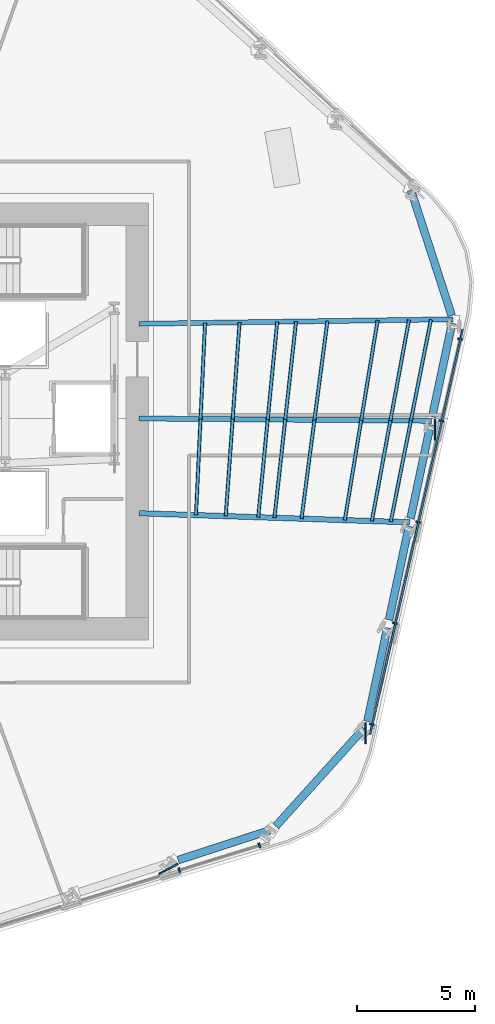
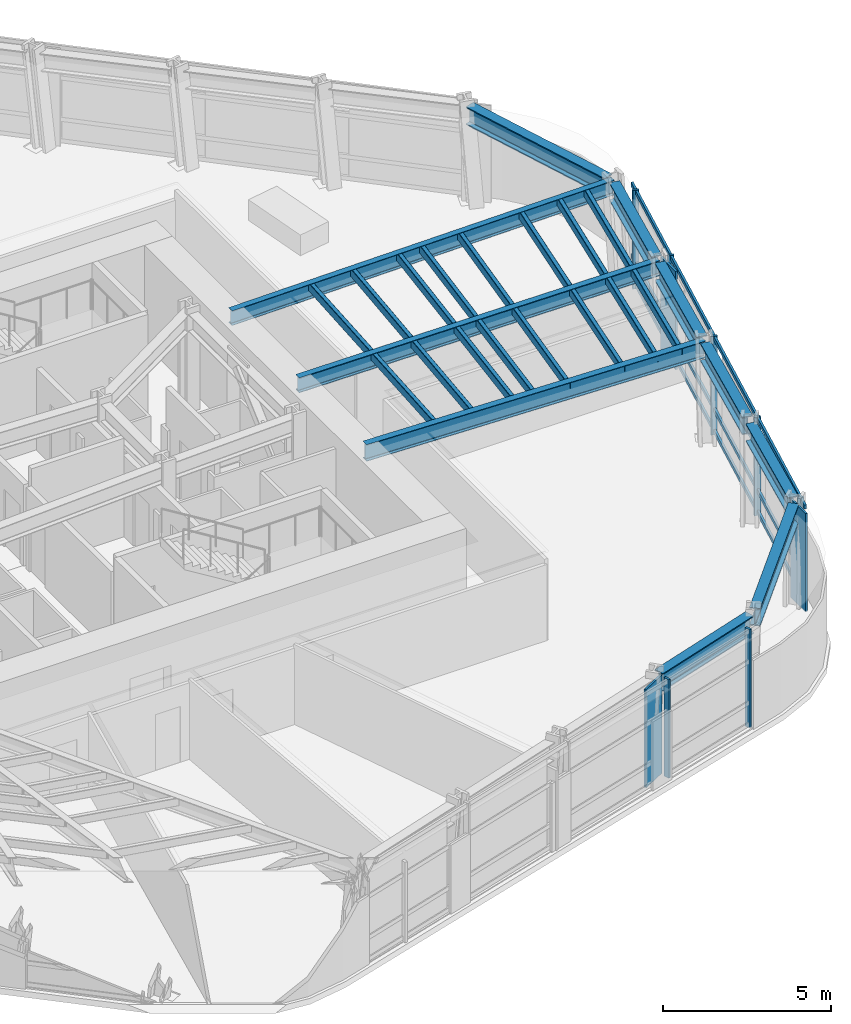
# One storey, part 5 of 16: 30 members, 10 beams, 2 elements without a shape of their own.
"""IFC4 building model written with IfcOpenShell, lengths in metres."""

from ifc_helpers import new_model, si_unit, direction, frame, origin, origin_2d, place, context, subcontext, project, spatial, rectangle, hollow_rectangle, i_section, extrude, material, layer, layer_set, material_profile, profile_set, type_object, element, aggregate, save


model = new_model("IFC4")

# Units and contexts
model_context = context("Model", 3, precision=1e-05, world=origin(), true_north=direction((0.0, 1.0)))
body_context = subcontext(model_context, "Body", "Model", "MODEL_VIEW")
ifc_project = project(units=[si_unit("LENGTHUNIT", "METRE"), si_unit("AREAUNIT", "SQUARE_METRE"), si_unit("VOLUMEUNIT", "CUBIC_METRE"), si_unit("PLANEANGLEUNIT", "RADIAN"), si_unit("MASSUNIT", "GRAM", prefix="KILO")], contexts=[model_context])

# Site, building, storey
site_placement = place(None, origin())
site = spatial("IfcSite", under=ifc_project, at=site_placement, CompositionType="ELEMENT")
building_placement = place(site_placement, origin())
building = spatial("IfcBuilding", under=site, at=building_placement, Name="Valkerne Bourse Tower", CompositionType="ELEMENT")
storey_placement = place(building_placement, frame((0.0, 0.0, 97.199951171875)))
storey = spatial("IfcBuildingStorey", under=building, at=storey_placement, Name="L24", CompositionType="ELEMENT", Elevation=97.199951171875)

# Beams
ifc_material_1 = material(Name="Steel ASTM A992", Category="steel")
ifc_material_profile_1 = material_profile(ifc_material_1, i_section(OverallWidth=0.209228515625, OverallDepth=0.533447265625, WebThickness=0.01025390625, FlangeThickness=0.015625, FilletRadius=0.017822265625, at=origin_2d()), Name="W21X62")
ifc_profile_set_1 = profile_set([ifc_material_profile_1], Name="Steel ASTM A992")
beam_type_1 = type_object("IfcBeamType", Name="BM-W21X62", PredefinedType="JOIST", material=ifc_profile_set_1)
beam_1_placement = place(storey_placement, frame((69.24951171875, 31.190185546875, 3.313232421875), z_axis=(-0.999896995032, -0.014352676601, 0.0), x_axis=(0.014352676601, -0.999896995032, 0.0)))
element("IfcBeam", 1, at=beam_1_placement, inside=storey, type_object=beam_type_1, Name="L24 Radial Composite Floor Beam 29", PredefinedType="JOIST", context=body_context, shape_type="SweptSolid", body=[
    extrude(i_section(OverallWidth=0.209228515625, OverallDepth=0.533447265625, WebThickness=0.01025390625, FlangeThickness=0.015625, FilletRadius=0.017822265625, at=origin_2d()), origin(), (0.0, 0.0, 1.0), 13.2509765625),
])
ifc_material_profile_2 = material_profile(ifc_material_1, i_section(OverallWidth=0.2138671875, OverallDepth=0.548583984375, WebThickness=0.0146484375, FlangeThickness=0.023681640625, FilletRadius=0.017822265625, at=origin_2d()), Name="W21X93")
ifc_profile_set_2 = profile_set([ifc_material_profile_2], Name="Steel ASTM A992")
beam_type_2 = type_object("IfcBeamType", Name="BM-W21X93", PredefinedType="BEAM", material=ifc_profile_set_2)
beam_2_placement = place(storey_placement, frame((68.338134765625, 26.90283203125, 3.3056640625), z_axis=(-0.999968990338, 0.007875173797, 0.0), x_axis=(-0.007875173797, -0.999968990338, 0.0)))
element("IfcBeam", 2, at=beam_2_placement, inside=storey, type_object=beam_type_2, Name="L24 Radial Composite Floor Beam 28", PredefinedType="BEAM", context=body_context, shape_type="SweptSolid", body=[
    extrude(i_section(OverallWidth=0.2138671875, OverallDepth=0.548583984375, WebThickness=0.0146484375, FlangeThickness=0.023681640625, FilletRadius=0.017822265625, at=origin_2d()), origin(), (0.0, 0.0, 1.0), 12.338623046875),
])
ifc_material_profile_3 = material_profile(ifc_material_1, i_section(OverallWidth=0.330078125, OverallDepth=0.647705078125, WebThickness=0.0205078125, FlangeThickness=0.037109375, FilletRadius=0.020263671875, at=origin_2d()), Name="W24X192")
ifc_profile_set_3 = profile_set([ifc_material_profile_3], Name="Steel ASTM A992")
beam_type_3 = type_object("IfcBeamType", Name="BM-W24X192", PredefinedType="SPANDREL", material=ifc_profile_set_3)
beam_3_placement = place(storey_placement, frame((57.646484375, 8.351318359375, 3.25634765625), z_axis=(0.951065126918, 0.308990492345, 0.0), x_axis=(-0.308990492345, 0.951065126918, 0.0)))
element("IfcBeam", 3, at=beam_3_placement, inside=storey, type_object=beam_type_3, Name="L24 Hexagonal Spandrel Ring Beam 23", PredefinedType="SPANDREL", context=body_context, shape_type="SweptSolid", body=[
    extrude(i_section(OverallWidth=0.330078125, OverallDepth=0.647705078125, WebThickness=0.0205078125, FlangeThickness=0.037109375, FilletRadius=0.020263671875, at=origin_2d()), origin(), (0.0, 0.0, 1.0), 4.04296875),
])
beam_4_placement = place(storey_placement, frame((61.76708984375, 9.779541015625, 3.25634765625), z_axis=(0.669129547438, 0.743145778933, 0.0), x_axis=(-0.743145778933, 0.669129547438, 0.0)))
element("IfcBeam", 4, at=beam_4_placement, inside=storey, type_object=beam_type_3, Name="L24 Hexagonal Spandrel Ring Beam 24", PredefinedType="SPANDREL", context=body_context, shape_type="SweptSolid", body=[
    extrude(i_section(OverallWidth=0.330078125, OverallDepth=0.647705078125, WebThickness=0.0205078125, FlangeThickness=0.037109375, FilletRadius=0.020263671875, at=origin_2d()), origin(), (0.0, 0.0, 1.0), 5.564453125),
])
for number, where, z_axis, x_axis, name in (
    (5, (65.6396484375, 14.20751953125, 3.25634765625), (0.207912200064, 0.97814749249, 0.0), (-0.97814749249, 0.207912200064, 0.0), "L24 Hexagonal Spandrel Ring Beam 25"),
    (6, (66.55078125, 18.49462890625, 3.25634765625), (0.207969975531, 0.978135210121, 0.0), (-0.978135210121, 0.207969975531, 0.0), "L24 Hexagonal Spandrel Ring Beam 26"),
    (7, (67.462158203125, 22.781982421875, 3.25634765625), (0.207969975531, 0.978135210121, 0.0), (-0.978135210121, 0.207969975531, 0.0), "L24 Hexagonal Spandrel Ring Beam 27"),
    (8, (68.37353515625, 27.069091796875, 3.25634765625), (0.207912200064, 0.97814749249, 0.0), (-0.97814749249, 0.207912200064, 0.0), "L24 Hexagonal Spandrel Ring Beam 28"),
):
    element("IfcBeam", number, at=place(storey_placement, frame(where, z_axis=z_axis, x_axis=x_axis)), inside=storey, type_object=beam_type_3, Name=name, PredefinedType="SPANDREL", context=body_context, shape_type="SweptSolid", body=[
        extrude(i_section(OverallWidth=0.330078125, OverallDepth=0.647705078125, WebThickness=0.0205078125, FlangeThickness=0.037109375, FilletRadius=0.020263671875, at=origin_2d()), origin(), (0.0, 0.0, 1.0), 4.04296875),
    ])
beam_5_placement = place(storey_placement, frame((69.197021484375, 31.351806640625, 3.25634765625), z_axis=(-0.309058293549, 0.951043096389, 0.0), x_axis=(-0.951043096389, -0.309058293549, 0.0)))
element("IfcBeam", 9, at=beam_5_placement, inside=storey, type_object=beam_type_3, Name="L24 Hexagonal Spandrel Ring Beam 29", PredefinedType="SPANDREL", context=body_context, shape_type="SweptSolid", body=[
    extrude(i_section(OverallWidth=0.330078125, OverallDepth=0.647705078125, WebThickness=0.0205078125, FlangeThickness=0.037109375, FilletRadius=0.020263671875, at=origin_2d()), origin(), (0.0, 0.0, 1.0), 5.564453125),
])
ifc_material_profile_4 = material_profile(ifc_material_1, i_section(OverallWidth=0.228271484375, OverallDepth=0.607177734375, WebThickness=0.01123046875, FlangeThickness=0.017333984375, FilletRadius=0.017822265625, at=origin_2d()), Name="W24X76")
ifc_profile_set_4 = profile_set([ifc_material_profile_4], Name="Steel ASTM A992")
beam_type_4 = type_object("IfcBeamType", Name="BM-W24X76", PredefinedType="JOIST", material=ifc_profile_set_4)
beam_6_placement = place(storey_placement, frame((67.427001953125, 22.615478515625, 3.2763671875), z_axis=(-0.999434310671, 0.033631215454, 0.0), x_axis=(-0.033631215454, -0.999434310671, 0.0)))
element("IfcBeam", 10, at=beam_6_placement, inside=storey, type_object=beam_type_4, Name="L24 Radial Composite Floor Beam 27", PredefinedType="JOIST", context=body_context, shape_type="SweptSolid", body=[
    extrude(i_section(OverallWidth=0.228271484375, OverallDepth=0.607177734375, WebThickness=0.01123046875, FlangeThickness=0.017333984375, FilletRadius=0.017822265625, at=origin_2d()), origin(), (0.0, 0.0, 1.0), 11.433349609375),
])

# Curtain wall, members
ifc_material_2 = material(Name="Aluminium AA 6063-T6", Category="aluminium")
ifc_layer = layer(ifc_material_2, 0.22998046875)
ifc_layer_set = layer_set([ifc_layer], Name="Aluminium AA 6063-T6")
curtain_wall_type = type_object("IfcCurtainWallType", Name="CW-02", PredefinedType="NOTDEFINED", material=ifc_layer_set)
curtain_wall_1_placement = place(storey_placement, origin())
curtain_wall_1 = element("IfcCurtainWall", 11, at=curtain_wall_1_placement, inside=storey, type_object=curtain_wall_type, Name="L24 Hexagonal Stick Curtain Wall Face 5", PredefinedType="NOTDEFINED")
ifc_material_profile_5 = material_profile(ifc_material_2, rectangle(XDim=0.074951171875, YDim=0.199951171875, at=origin_2d()), Name="CWM-75X200")
ifc_profile_set_5 = profile_set([ifc_material_profile_5], Name="Aluminium AA 6063-T6")
member_type_1 = type_object("IfcMemberType", Name="CW-MUL-220X75", PredefinedType="MULLION", material=ifc_profile_set_5)
member_1_placement = place(storey_placement, frame((57.69140625, 7.931884765625, 0.0), z_axis=(0.0, 0.0, 1.0), x_axis=(0.955790847392, 0.294047370405, 0.0)))
member_1 = element("IfcMember", 12, at=member_1_placement, type_object=member_type_1, Name="CW-L24-F5 Jamb Mullion 03A", PredefinedType="MULLION", context=body_context, shape_type="SweptSolid", body=[
    extrude(rectangle(XDim=0.074951171875, YDim=0.199951171875, at=origin_2d()), origin(), (0.0, 0.0, 1.0), 3.580078125),
])
member_2_placement = place(storey_placement, frame((61.07763671875, 8.9736328125, 0.0), z_axis=(0.0, 0.0, 1.0), x_axis=(0.955790847392, 0.294047370405, 0.0)))
member_2 = element("IfcMember", 13, at=member_2_placement, type_object=member_type_1, Name="CW-L24-F5 Jamb Mullion 03B", PredefinedType="MULLION", context=body_context, shape_type="SweptSolid", body=[
    extrude(rectangle(XDim=0.074951171875, YDim=0.199951171875, at=origin_2d()), origin(), (0.0, 0.0, 1.0), 3.580078125),
])
aggregate(curtain_wall_1, [member_1, member_2])

curtain_wall_2_placement = place(storey_placement, origin())
curtain_wall_2 = element("IfcCurtainWall", 14, at=curtain_wall_2_placement, inside=storey, type_object=curtain_wall_type, Name="L24 Hexagonal Stick Curtain Wall Face 6", PredefinedType="NOTDEFINED")
member_3_placement = place(storey_placement, frame((65.82373046875, 14.080810546875, 0.0), z_axis=(0.0, 0.0, 1.0), x_axis=(0.22324789938, 0.974761701865, 0.0)))
member_3 = element("IfcMember", 15, at=member_3_placement, type_object=member_type_1, Name="CW-L24-F6 Jamb Mullion 00A", PredefinedType="MULLION", context=body_context, shape_type="SweptSolid", body=[
    extrude(rectangle(XDim=0.074951171875, YDim=0.199951171875, at=origin_2d()), origin(), (0.0, 0.0, 1.0), 3.580078125),
])
member_4_placement = place(storey_placement, frame((66.80224609375, 18.353271484375, 0.0), z_axis=(0.0, 0.0, 1.0), x_axis=(0.22324789938, 0.974761701865, 0.0)))
member_4 = element("IfcMember", 16, at=member_4_placement, type_object=member_type_1, Name="CW-L24-F6 Jamb Mullion 01A", PredefinedType="MULLION", context=body_context, shape_type="SweptSolid", body=[
    extrude(rectangle(XDim=0.074951171875, YDim=0.199951171875, at=origin_2d()), origin(), (0.0, 0.0, 1.0), 3.580078125),
])
member_5_placement = place(storey_placement, frame((67.78076171875, 22.625732421875, 0.0), z_axis=(0.0, 0.0, 1.0), x_axis=(0.223252864393, 0.974760564724, 0.0)))
member_5 = element("IfcMember", 17, at=member_5_placement, type_object=member_type_1, Name="CW-L24-F6 Jamb Mullion 02A", PredefinedType="MULLION", context=body_context, shape_type="SweptSolid", body=[
    extrude(rectangle(XDim=0.074951171875, YDim=0.199951171875, at=origin_2d()), origin(), (0.0, 0.0, 1.0), 3.580078125),
])
member_6_placement = place(storey_placement, frame((68.75927734375, 26.89794921875, 0.0), z_axis=(0.0, 0.0, 1.0), x_axis=(0.22324789938, 0.974761701865, 0.0)))
member_6 = element("IfcMember", 18, at=member_6_placement, type_object=member_type_1, Name="CW-L24-F6 Jamb Mullion 03A", PredefinedType="MULLION", context=body_context, shape_type="SweptSolid", body=[
    extrude(rectangle(XDim=0.074951171875, YDim=0.199951171875, at=origin_2d()), origin(), (0.0, 0.0, 1.0), 3.580078125),
])
member_7_placement = place(storey_placement, frame((69.55029296875, 30.3515625, 0.0), z_axis=(0.0, 0.0, 1.0), x_axis=(0.22324789938, 0.974761701865, 0.0)))
member_7 = element("IfcMember", 19, at=member_7_placement, type_object=member_type_1, Name="CW-L24-F6 Jamb Mullion 03B", PredefinedType="MULLION", context=body_context, shape_type="SweptSolid", body=[
    extrude(rectangle(XDim=0.074951171875, YDim=0.199951171875, at=origin_2d()), origin(), (0.0, 0.0, 1.0), 3.580078125),
])
ifc_material_profile_6 = material_profile(ifc_material_2, rectangle(XDim=0.074951171875, YDim=0.14990234375, at=origin_2d()), Name="CWT-75X150")
ifc_profile_set_6 = profile_set([ifc_material_profile_6], Name="Aluminium AA 6063-T6")
member_type_2 = type_object("IfcMemberType", Name="CW-TRN-180X65", PredefinedType="USERDEFINED", material=ifc_profile_set_6)
member_8_placement = place(storey_placement, frame((65.74951171875, 13.6669921875, 0.1201171875), z_axis=(0.223238060076, 0.97476395529, 0.0), x_axis=(-0.97476395529, 0.223238060076, 0.0)))
member_8 = element("IfcMember", 20, at=member_8_placement, type_object=member_type_2, Name="CW-L24-F6 Continuous Face Transom 1", ObjectType="TRANSOM", PredefinedType="USERDEFINED", context=body_context, shape_type="SweptSolid", body=[
    extrude(rectangle(XDim=0.074951171875, YDim=0.14990234375, at=origin_2d()), origin(), (0.0, 0.0, 1.0), 17.531982421875),
])
member_9_placement = place(storey_placement, frame((65.74951171875, 13.6669921875, 0.900146484375), z_axis=(0.223238060076, 0.97476395529, 0.0), x_axis=(-0.97476395529, 0.223238060076, 0.0)))
member_9 = element("IfcMember", 21, at=member_9_placement, type_object=member_type_2, Name="CW-L24-F6 Continuous Face Transom 2", ObjectType="TRANSOM", PredefinedType="USERDEFINED", context=body_context, shape_type="SweptSolid", body=[
    extrude(rectangle(XDim=0.074951171875, YDim=0.14990234375, at=origin_2d()), origin(), (0.0, 0.0, 1.0), 17.531982421875),
])
member_10_placement = place(storey_placement, frame((65.74951171875, 13.6669921875, 2.400146484375), z_axis=(0.223238060076, 0.97476395529, 0.0), x_axis=(-0.97476395529, 0.223238060076, 0.0)))
member_10 = element("IfcMember", 22, at=member_10_placement, type_object=member_type_2, Name="CW-L24-F6 Continuous Face Transom 3", ObjectType="TRANSOM", PredefinedType="USERDEFINED", context=body_context, shape_type="SweptSolid", body=[
    extrude(rectangle(XDim=0.074951171875, YDim=0.14990234375, at=origin_2d()), origin(), (0.0, 0.0, 1.0), 17.531982421875),
])
member_11_placement = place(storey_placement, frame((65.74951171875, 13.6669921875, 3.5), z_axis=(0.223238060076, 0.97476395529, 0.0), x_axis=(-0.97476395529, 0.223238060076, 0.0)))
member_11 = element("IfcMember", 23, at=member_11_placement, type_object=member_type_2, Name="CW-L24-F6 Continuous Face Transom 4", ObjectType="TRANSOM", PredefinedType="USERDEFINED", context=body_context, shape_type="SweptSolid", body=[
    extrude(rectangle(XDim=0.074951171875, YDim=0.14990234375, at=origin_2d()), origin(), (0.0, 0.0, 1.0), 17.531982421875),
])
aggregate(curtain_wall_2, [member_8, member_9, member_10, member_11, member_3, member_4, member_5, member_6, member_7])

# Members
ifc_material_3 = material(Name="Bronze Anodised Aluminium AA 6063-T6", Category="aluminium")
ifc_material_profile_7 = material_profile(ifc_material_3, rectangle(XDim=0.070068359375, YDim=0.89990234375, at=origin_2d()), Name="FIN-70X900")
ifc_profile_set_7 = profile_set([ifc_material_profile_7], Name="Bronze Anodised Aluminium AA 6063-T6")
member_type_3 = type_object("IfcMemberType", Name="FIN-SOLAR-900", PredefinedType="USERDEFINED", material=ifc_profile_set_7)
for number, where, z_axis, x_axis, name in (
    (24, (57.23681640625, 7.98046875, 0.004150390625), (0.0, 0.0, 1.0), (0.474027807162, -0.880509873901, 0.0), "L24 Bronze Anodised Solar Fin F5-03"),
    (25, (65.554443359375, 13.711669921875, 0.004150390625), (0.0, 0.0, 1.0), (0.999999923706, -0.000390626249, 0.0), "L24 Bronze Anodised Solar Fin F6-00"),
    (26, (68.489990234375, 26.52880859375, 0.004150390625), (0.0, 0.0, 1.0), (0.999999923706, -0.000390626249, 0.0), "L24 Bronze Anodised Solar Fin F6-03"),
):
    element("IfcMember", number, at=place(storey_placement, frame(where, z_axis=z_axis, x_axis=x_axis)), inside=storey, type_object=member_type_3, Name=name, ObjectType="SOLAR_FIN", PredefinedType="USERDEFINED", context=body_context, shape_type="SweptSolid", body=[
        extrude(rectangle(XDim=0.070068359375, YDim=0.89990234375, at=origin_2d()), origin(), (0.0, 0.0, 1.0), 3.57177734375),
    ])
ifc_material_4 = material(Name="Steel ASTM A500 Grade C", Category="steel")
ifc_material_profile_8 = material_profile(ifc_material_4, hollow_rectangle(XDim=0.14990234375, YDim=0.300048828125, WallThickness=0.012451171875, OuterFilletRadius=0.02490234375, at=origin_2d()), Name="HSS300X150X12.5")
ifc_profile_set_8 = profile_set([ifc_material_profile_8], Name="Steel ASTM A500 Grade C")
member_type_4 = type_object("IfcMemberType", Name="MBR-HSS300X150X12.5", PredefinedType="PURLIN", material=ifc_profile_set_8)
member_12_placement = place(storey_placement, frame((59.656494140625, 22.876953125, 3.420166015625), z_axis=(0.071115943371, 0.997468055929, 0.0), x_axis=(-0.997468055929, 0.071115943371, 0.0)))
element("IfcMember", 27, at=member_12_placement, inside=storey, type_object=member_type_4, Name="L24 Secondary Composite Floor Purlin I-27", PredefinedType="PURLIN", context=body_context, shape_type="SweptSolid", body=[
    extrude(hollow_rectangle(XDim=0.14990234375, YDim=0.300048828125, WallThickness=0.012451171875, OuterFilletRadius=0.02490234375, at=origin_2d()), origin(), (0.0, 0.0, 1.0), 4.1025390625),
])
member_13_placement = place(storey_placement, frame((59.9482421875, 26.968994140625, 3.420166015625), z_axis=(0.071060950976, 0.997471975168, 0.0), x_axis=(-0.997471975168, 0.071060950976, 0.0)))
element("IfcMember", 28, at=member_13_placement, inside=storey, type_object=member_type_4, Name="L24 Secondary Composite Floor Purlin I-28", PredefinedType="PURLIN", context=body_context, shape_type="SweptSolid", body=[
    extrude(hollow_rectangle(XDim=0.14990234375, YDim=0.300048828125, WallThickness=0.012451171875, OuterFilletRadius=0.02490234375, at=origin_2d()), origin(), (0.0, 0.0, 1.0), 4.10205078125),
])
member_14_placement = place(storey_placement, frame((61.02783203125, 22.830810546875, 3.420166015625), z_axis=(0.096693053845, 0.995314248536, 0.0), x_axis=(-0.995314248536, 0.096693053845, 0.0)))
element("IfcMember", 29, at=member_14_placement, inside=storey, type_object=member_type_4, Name="L24 Secondary Composite Floor Purlin K-27", PredefinedType="PURLIN", context=body_context, shape_type="SweptSolid", body=[
    extrude(hollow_rectangle(XDim=0.14990234375, YDim=0.300048828125, WallThickness=0.012451171875, OuterFilletRadius=0.02490234375, at=origin_2d()), origin(), (0.0, 0.0, 1.0), 4.14599609375),
])
member_15_placement = place(storey_placement, frame((61.4287109375, 26.957275390625, 3.420166015625), z_axis=(0.096757061146, 0.99530802826, 0.0), x_axis=(-0.99530802826, 0.096757061146, 0.0)))
element("IfcMember", 30, at=member_15_placement, inside=storey, type_object=member_type_4, Name="L24 Secondary Composite Floor Purlin K-28", PredefinedType="PURLIN", context=body_context, shape_type="SweptSolid", body=[
    extrude(hollow_rectangle(XDim=0.14990234375, YDim=0.300048828125, WallThickness=0.012451171875, OuterFilletRadius=0.02490234375, at=origin_2d()), origin(), (0.0, 0.0, 1.0), 4.145751953125),
])
member_16_placement = place(storey_placement, frame((61.71337890625, 22.807861328125, 3.420166015625), z_axis=(0.109345108519, 0.994003846694, 0.0), x_axis=(-0.994003846694, 0.109345108519, 0.0)))
element("IfcMember", 31, at=member_16_placement, inside=storey, type_object=member_type_4, Name="L24 Secondary Composite Floor Purlin M-27", PredefinedType="PURLIN", context=body_context, shape_type="SweptSolid", body=[
    extrude(hollow_rectangle(XDim=0.14990234375, YDim=0.300048828125, WallThickness=0.012451171875, OuterFilletRadius=0.02490234375, at=origin_2d()), origin(), (0.0, 0.0, 1.0), 4.16845703125),
])
member_17_placement = place(storey_placement, frame((62.169189453125, 26.951416015625, 3.420166015625), z_axis=(0.109280878945, 0.99401091015, 0.0), x_axis=(-0.99401091015, 0.109280878945, 0.0)))
element("IfcMember", 32, at=member_17_placement, inside=storey, type_object=member_type_4, Name="L24 Secondary Composite Floor Purlin M-28", PredefinedType="PURLIN", context=body_context, shape_type="SweptSolid", body=[
    extrude(hollow_rectangle(XDim=0.14990234375, YDim=0.300048828125, WallThickness=0.012451171875, OuterFilletRadius=0.02490234375, at=origin_2d()), origin(), (0.0, 0.0, 1.0), 4.168701171875),
])
member_18_placement = place(storey_placement, frame((64.684326171875, 22.7080078125, 3.420166015625), z_axis=(0.162036712375, 0.986784730244, 0.0), x_axis=(-0.986784730244, 0.162036712375, 0.0)))
element("IfcMember", 33, at=member_18_placement, inside=storey, type_object=member_type_4, Name="L24 Secondary Composite Floor Purlin O-27", PredefinedType="PURLIN", context=body_context, shape_type="SweptSolid", body=[
    extrude(hollow_rectangle(XDim=0.14990234375, YDim=0.300048828125, WallThickness=0.012451171875, OuterFilletRadius=0.02490234375, at=origin_2d()), origin(), (0.0, 0.0, 1.0), 4.2744140625),
])
member_19_placement = place(storey_placement, frame((65.376953125, 26.926025390625, 3.420166015625), z_axis=(0.162018449395, 0.986787728975, 0.0), x_axis=(-0.986787728975, 0.162018449395, 0.0)))
element("IfcMember", 34, at=member_19_placement, inside=storey, type_object=member_type_4, Name="L24 Secondary Composite Floor Purlin O-28", PredefinedType="PURLIN", context=body_context, shape_type="SweptSolid", body=[
    extrude(hollow_rectangle(XDim=0.14990234375, YDim=0.300048828125, WallThickness=0.012451171875, OuterFilletRadius=0.02490234375, at=origin_2d()), origin(), (0.0, 0.0, 1.0), 4.27490234375),
])
for number, where, z_axis, x_axis, name in (
    (35, (62.856201171875, 22.769287109375, 3.420166015625), (0.129902196176, 0.991526812259, 0.0), (-0.991526812259, 0.129902196176, 0.0), "L24 Secondary Composite Floor Purlin Z-27"),
    (36, (63.40283203125, 26.941650390625, 3.420166015625), (0.129959234455, 0.991519337875, 0.0), (-0.991519337875, 0.129959234455, 0.0), "L24 Secondary Composite Floor Purlin Z-28"),
):
    element("IfcMember", number, at=place(storey_placement, frame(where, z_axis=z_axis, x_axis=x_axis)), inside=storey, type_object=member_type_4, Name=name, PredefinedType="PURLIN", context=body_context, shape_type="SweptSolid", body=[
        extrude(hollow_rectangle(XDim=0.14990234375, YDim=0.300048828125, WallThickness=0.012451171875, OuterFilletRadius=0.02490234375, at=origin_2d()), origin(), (0.0, 0.0, 1.0), 4.2080078125),
    ])
for number, where, z_axis, x_axis, name in (
    (37, (58.399658203125, 22.919189453125, 3.420166015625), (0.047088588915, 0.998890717143, 0.0), (-0.998890717143, 0.047088588915, 0.0), "L24 Secondary Composite Floor Purlin S-27"),
    (38, (58.591064453125, 26.9794921875, 3.420166015625), (0.047088588915, 0.998890717143, 0.0), (-0.998890717143, 0.047088588915, 0.0), "L24 Secondary Composite Floor Purlin S-28"),
):
    element("IfcMember", number, at=place(storey_placement, frame(where, z_axis=z_axis, x_axis=x_axis)), inside=storey, type_object=member_type_4, Name=name, PredefinedType="PURLIN", context=body_context, shape_type="SweptSolid", body=[
        extrude(hollow_rectangle(XDim=0.14990234375, YDim=0.300048828125, WallThickness=0.012451171875, OuterFilletRadius=0.02490234375, at=origin_2d()), origin(), (0.0, 0.0, 1.0), 4.064697265625),
    ])
for number, where, z_axis, x_axis, name in (
    (39, (65.8271484375, 22.66943359375, 3.420166015625), (0.181461693754, 0.983398013878, 0.0), (-0.983398013878, 0.181461693754, 0.0), "L24 Secondary Composite Floor Purlin T-27"),
    (40, (66.61083984375, 26.91650390625, 3.420166015625), (0.181461693754, 0.983398013878, 0.0), (-0.983398013878, 0.181461693754, 0.0), "L24 Secondary Composite Floor Purlin T-28"),
):
    element("IfcMember", number, at=place(storey_placement, frame(where, z_axis=z_axis, x_axis=x_axis)), inside=storey, type_object=member_type_4, Name=name, PredefinedType="PURLIN", context=body_context, shape_type="SweptSolid", body=[
        extrude(hollow_rectangle(XDim=0.14990234375, YDim=0.300048828125, WallThickness=0.012451171875, OuterFilletRadius=0.02490234375, at=origin_2d()), origin(), (0.0, 0.0, 1.0), 4.31884765625),
    ])
member_20_placement = place(storey_placement, frame((66.626953125, 22.642578125, 3.420166015625), z_axis=(0.194842517466, 0.980834539251, 0.0), x_axis=(-0.980834539251, 0.194842517466, 0.0)))
element("IfcMember", 41, at=member_20_placement, inside=storey, type_object=member_type_4, Name="L24 Secondary Composite Floor Purlin U-27", PredefinedType="PURLIN", context=body_context, shape_type="SweptSolid", body=[
    extrude(hollow_rectangle(XDim=0.14990234375, YDim=0.300048828125, WallThickness=0.012451171875, OuterFilletRadius=0.02490234375, at=origin_2d()), origin(), (0.0, 0.0, 1.0), 4.3505859375),
])
member_21_placement = place(storey_placement, frame((67.474609375, 26.90966796875, 3.420166015625), z_axis=(0.194788528795, 0.980845262541, 0.0), x_axis=(-0.980845262541, 0.194788528795, 0.0)))
element("IfcMember", 42, at=member_21_placement, inside=storey, type_object=member_type_4, Name="L24 Secondary Composite Floor Purlin U-28", PredefinedType="PURLIN", context=body_context, shape_type="SweptSolid", body=[
    extrude(hollow_rectangle(XDim=0.14990234375, YDim=0.300048828125, WallThickness=0.012451171875, OuterFilletRadius=0.02490234375, at=origin_2d()), origin(), (0.0, 0.0, 1.0), 4.350341796875),
])

save(model, "model.ifc")
